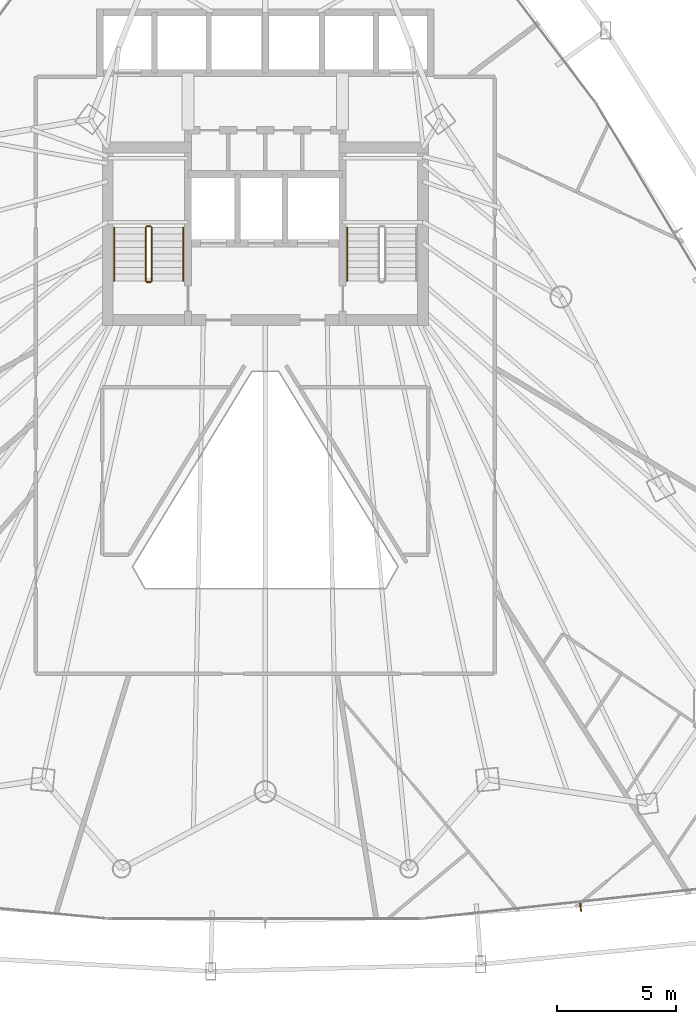
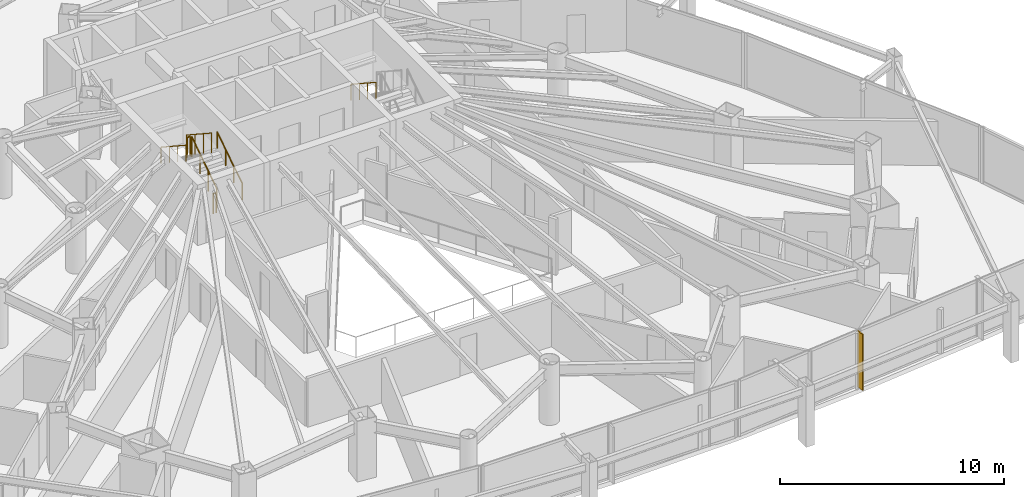
# One storey, part 36 of 38: 7 railings, 1 shading device.
"""IFC4 building model written with IfcOpenShell, lengths in metres."""

from ifc_helpers import new_model, si_unit, direction, frame, origin, origin_2d, place, context, subcontext, project, spatial, rectangle, circle, extrude, material, layer, layer_set, type_object, element, save


model = new_model("IFC4")

# Units and contexts
model_context = context("Model", 3, precision=1e-05, world=origin(), true_north=direction((0.0, 1.0)))
body_context = subcontext(model_context, "Body", "Model", "MODEL_VIEW")
ifc_project = project(units=[si_unit("LENGTHUNIT", "METRE"), si_unit("AREAUNIT", "SQUARE_METRE"), si_unit("VOLUMEUNIT", "CUBIC_METRE"), si_unit("PLANEANGLEUNIT", "RADIAN"), si_unit("MASSUNIT", "GRAM", prefix="KILO")], contexts=[model_context])

# Site, building, storey
site_placement = place(None, origin())
site = spatial("IfcSite", under=ifc_project, at=site_placement, CompositionType="ELEMENT")
building_placement = place(site_placement, origin())
building = spatial("IfcBuilding", under=site, at=building_placement, Name="Orvanel Arch Residences", CompositionType="ELEMENT")
storey_placement = place(building_placement, frame((0.0, 0.0, 43.39990234375)))
storey = spatial("IfcBuildingStorey", under=building, at=storey_placement, Name="L11", CompositionType="ELEMENT", Elevation=43.39990234375)

# Shading device
ifc_material_1 = material(Name="Bronze-anodised aluminium AA6063-T6", Category="aluminium")
ifc_layer = layer(ifc_material_1, 0.06005859375)
ifc_layer_set = layer_set([ifc_layer], Name="Bronze-anodised aluminium AA6063-T6")
shading_device_type = type_object("IfcShadingDeviceType", Name="FIN-BRZ-380", PredefinedType="USERDEFINED", material=ifc_layer_set)
shading_device_placement = place(storey_placement, frame((46.251953125, 2.0048828125, 0.0), z_axis=(0.0, 0.0, 1.0), x_axis=(0.106264071336, -0.994337944133, 0.0)))
element("IfcShadingDevice", 1, at=shading_device_placement, inside=storey, type_object=shading_device_type, Name="L11 Anodised Bronze Mullion FIN 01", ObjectType="FIN", PredefinedType="USERDEFINED", context=body_context, shape_type="SweptSolid", body=[
    extrude(rectangle(XDim=0.3798828125, YDim=0.06005859375, at=origin_2d()), origin(), (0.0, 0.0, 1.0), 3.06005859375),
])

# Railings
ifc_material_2 = material(Name="Structural steel AS/NZS 1163 C350L0 (Grade 350)", Category="steel")
railing_type_1 = type_object("IfcRailingType", Name="RL-STAIR-GUARD", PredefinedType="GUARDRAIL", material=ifc_material_2)
railing_1_placement = place(storey_placement, frame((28.22998046875, 28.320068359375, 0.183349609375)))
element("IfcRailing", 2, at=railing_1_placement, inside=storey, type_object=railing_type_1, Name="L11 ST-1 stair guard 1", PredefinedType="GUARDRAIL", context=body_context, shape_type="SweptSolid", body=[
    extrude(circle(Radius=0.02392578125, at=origin_2d()), frame((0.0, 0.001220703125, 1.076904296875), z_axis=(0.0, 0.836595146698, 0.547821650285), x_axis=(-1.0, 0.0, 0.0)), (0.0, 0.0, 1.0), 2.674560546875),
    extrude(circle(Radius=0.02099609375, at=origin_2d()), origin(), (0.0, 0.0, 1.0), 1.050048828125),
    extrude(circle(Radius=0.02099609375, at=origin_2d()), frame((0.0, 0.74658203125, 0.489013671875)), (0.0, 0.0, 1.0), 1.050048828125),
    extrude(circle(Radius=0.02099609375, at=origin_2d()), frame((0.0, 1.493408203125, 0.977783203125)), (0.0, 0.0, 1.0), 1.050048828125),
    extrude(circle(Radius=0.02099609375, at=origin_2d()), frame((0.0, 2.239990234375, 1.466796875)), (0.0, 0.0, 1.0), 1.050048828125),
])
railing_2_placement = place(storey_placement, frame((28.179931640625, 30.610107421875, 1.650146484375)))
element("IfcRailing", 3, at=railing_2_placement, inside=storey, type_object=railing_type_1, Name="L11 ST-1 stair guard 2", PredefinedType="GUARDRAIL", context=body_context, shape_type="SweptSolid", body=[
    extrude(circle(Radius=0.02392578125, at=origin_2d()), frame((-0.00146484375, 0.0, 1.076171875), z_axis=(-1.0, 0.0, 0.0), x_axis=(0.0, -1.0, 0.0)), (0.0, 0.0, 1.0), 0.156982421875),
    extrude(circle(Radius=0.02099609375, at=origin_2d()), origin(), (0.0, 0.0, 1.0), 1.050048828125),
    extrude(circle(Radius=0.02099609375, at=origin_2d()), frame((-0.159912109375, 0.0, 0.0)), (0.0, 0.0, 1.0), 1.050048828125),
])
railing_3_placement = place(storey_placement, frame((27.969970703125, 30.56005859375, 1.83349609375)))
element("IfcRailing", 4, at=railing_3_placement, inside=storey, type_object=railing_type_1, Name="L11 ST-1 stair guard 3", PredefinedType="GUARDRAIL", context=body_context, shape_type="SweptSolid", body=[
    extrude(circle(Radius=0.02392578125, at=origin_2d()), frame((0.0, -0.001220703125, 1.076904296875), z_axis=(0.0, -0.836636935527, 0.547757827979), x_axis=(1.0, 0.0, 0.0)), (0.0, 0.0, 1.0), 2.67431640625),
    extrude(circle(Radius=0.02099609375, at=origin_2d()), origin(), (0.0, 0.0, 1.0), 1.050048828125),
    extrude(circle(Radius=0.02099609375, at=origin_2d()), frame((0.0, -0.74658203125, 0.48876953125)), (0.0, 0.0, 1.0), 1.050048828125),
    extrude(circle(Radius=0.02099609375, at=origin_2d()), frame((0.0, -1.493408203125, 0.977783203125)), (0.0, 0.0, 1.0), 1.050048828125),
    extrude(circle(Radius=0.02099609375, at=origin_2d()), frame((0.0, -2.239990234375, 1.466552734375)), (0.0, 0.0, 1.0), 1.050048828125),
])
railing_4_placement = place(storey_placement, frame((28.179931640625, 28.27001953125, 0.0)))
element("IfcRailing", 5, at=railing_4_placement, inside=storey, type_object=railing_type_1, Name="L11 ST-1 stair guard 4", PredefinedType="GUARDRAIL", context=body_context, shape_type="SweptSolid", body=[
    extrude(circle(Radius=0.02392578125, at=origin_2d()), frame((-0.00146484375, 0.0, 1.076171875), z_axis=(-1.0, 0.0, 0.0), x_axis=(0.0, -1.0, 0.0)), (0.0, 0.0, 1.0), 0.156982421875),
    extrude(circle(Radius=0.02099609375, at=origin_2d()), origin(), (0.0, 0.0, 1.0), 1.050048828125),
    extrude(circle(Radius=0.02099609375, at=origin_2d()), frame((-0.159912109375, 0.0, 0.0)), (0.0, 0.0, 1.0), 1.050048828125),
])
railing_type_2 = type_object("IfcRailingType", Name="RL-STAIR-HAND", PredefinedType="HANDRAIL", material=ifc_material_2)
railing_5_placement = place(storey_placement, frame((29.550048828125, 28.320068359375, 0.183349609375)))
element("IfcRailing", 6, at=railing_5_placement, inside=storey, type_object=railing_type_2, Name="L11 ST-1 stair handrail 1", PredefinedType="HANDRAIL", context=body_context, shape_type="SweptSolid", body=[
    extrude(circle(Radius=0.02392578125, at=origin_2d()), frame((0.0, 0.001220703125, 0.876708984375), z_axis=(0.0, 0.836595146698, 0.547821650285), x_axis=(-1.0, 0.0, 0.0)), (0.0, 0.0, 1.0), 2.674560546875),
    extrude(circle(Radius=0.02099609375, at=origin_2d()), origin(), (0.0, 0.0, 1.0), 0.849853515625),
    extrude(circle(Radius=0.02099609375, at=origin_2d()), frame((0.0, 0.74658203125, 0.489013671875)), (0.0, 0.0, 1.0), 0.849853515625),
    extrude(circle(Radius=0.02099609375, at=origin_2d()), frame((0.0, 1.493408203125, 0.977783203125)), (0.0, 0.0, 1.0), 0.849853515625),
    extrude(circle(Radius=0.02099609375, at=origin_2d()), frame((0.0, 2.239990234375, 1.466796875)), (0.0, 0.0, 1.0), 0.849853515625),
])
for number, where, name in (
    (7, (26.64990234375, 30.56005859375, 1.83349609375), "L11 ST-1 stair handrail 2"),
    (8, (36.449951171875, 30.56005859375, 1.83349609375), "L11 ST-2 stair handrail 2"),
):
    element("IfcRailing", number, at=place(storey_placement, frame(where)), inside=storey, type_object=railing_type_2, Name=name, PredefinedType="HANDRAIL", context=body_context, shape_type="SweptSolid", body=[
        extrude(circle(Radius=0.02392578125, at=origin_2d()), frame((0.0, -0.001220703125, 0.876708984375), z_axis=(0.0, -0.836636935527, 0.547757827979), x_axis=(1.0, 0.0, 0.0)), (0.0, 0.0, 1.0), 2.67431640625),
        extrude(circle(Radius=0.02099609375, at=origin_2d()), origin(), (0.0, 0.0, 1.0), 0.849853515625),
        extrude(circle(Radius=0.02099609375, at=origin_2d()), frame((0.0, -0.74658203125, 0.48876953125)), (0.0, 0.0, 1.0), 0.849853515625),
        extrude(circle(Radius=0.02099609375, at=origin_2d()), frame((0.0, -1.493408203125, 0.977783203125)), (0.0, 0.0, 1.0), 0.849853515625),
        extrude(circle(Radius=0.02099609375, at=origin_2d()), frame((0.0, -2.239990234375, 1.466552734375)), (0.0, 0.0, 1.0), 0.849853515625),
    ])

save(model, "model.ifc")
